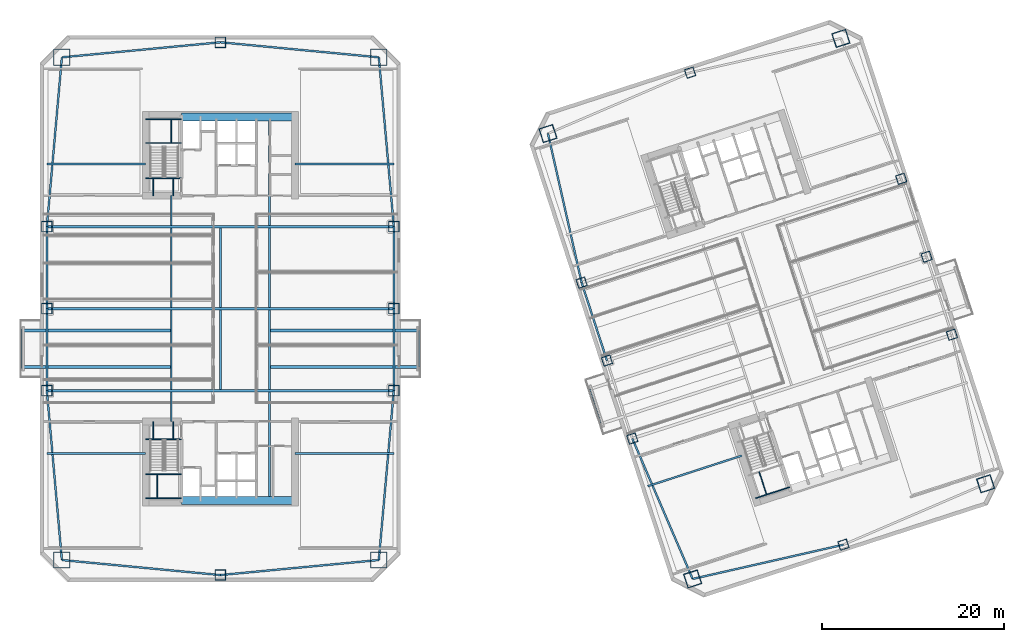
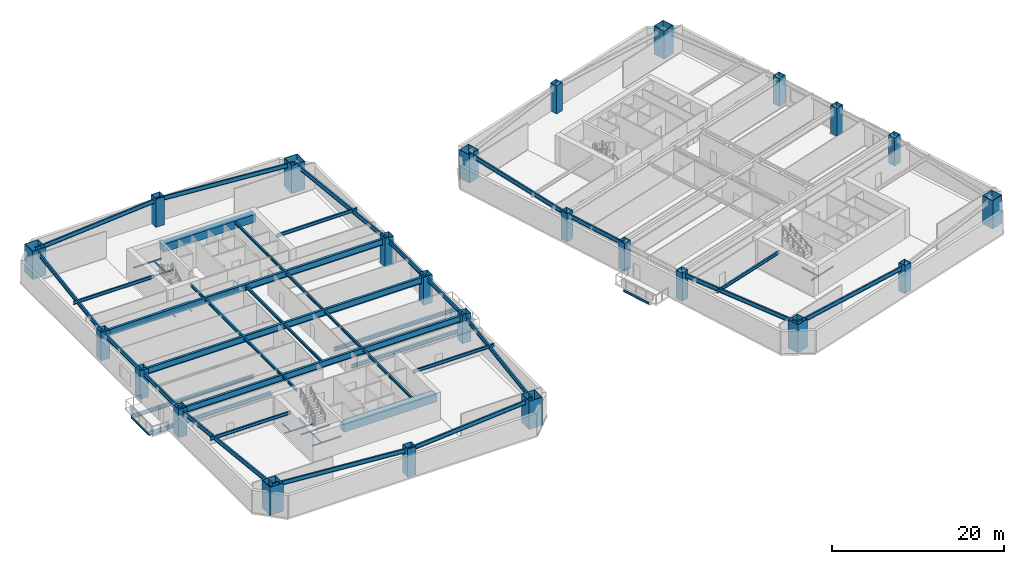
# One storey, part 1 of 18: 57 beams, 24 columns.
"""IFC4 building model written with IfcOpenShell, lengths in metres."""

import ifcopenshell
import ifcopenshell.guid

model = None  # the IFC model being written
_history = None  # IfcOwnerHistory: only IFC2X3 demands one
_inside = {}  # id of a spatial element -> (the spatial element, [elements in it])
_under = {}  # id of a project, library or spatial element -> (it, [spatial elements below it])
_declared = {}  # id of a project -> (the project, [libraries it declares])
_typed = {}  # id of a type object -> (the type object, [elements of that type])
_made_of = {}  # id of a material, layer set ... -> (it, [elements and type objects made of it])


def new_model(schema):
    """Start an empty IFC model of exactly this schema.

    Asked for "IFC4X3", IfcOpenShell would pick the latest addendum, in which some entities
    have other attributes; the version numbers below select the first issue.
    IFC2X3 requires an IfcOwnerHistory on every rooted entity: one is made here for all.
    """
    global model, _history
    if schema == "IFC4X3":
        model = ifcopenshell.file(schema_version=(4, 3, 0, 0))
    else:
        model = ifcopenshell.file(schema=schema)
    _inside.clear()
    _under.clear()
    _declared.clear()
    _typed.clear()
    _made_of.clear()
    _history = None
    if model.schema == "IFC2X3":
        org = make("IfcOrganization", Name="unknown")
        user = make(
            "IfcPersonAndOrganization",
            ThePerson=make("IfcPerson", FamilyName="unknown"),
            TheOrganization=org,
        )
        app = make(
            "IfcApplication",
            ApplicationDeveloper=org,
            Version="unknown",
            ApplicationFullName="unknown",
            ApplicationIdentifier="unknown",
        )
        _history = make(
            "IfcOwnerHistory",
            OwningUser=user,
            OwningApplication=app,
            ChangeAction="ADDED",
            CreationDate=0,
        )
    return model


def make(cls, **values):
    """One entity of the class cls with the attributes given. An attribute that is None is left unset."""
    return model.create_entity(
        cls, **{name: value for name, value in values.items() if value is not None}
    )


def rooted(cls, **values):
    """An entity with a GlobalId (a new one), such as an element, a storey or a relation."""
    return make(cls, GlobalId=ifcopenshell.guid.new(), OwnerHistory=_history, **values)


def si_unit(unit_type, name, prefix=None):
    """IfcSIUnit, for example si_unit("LENGTHUNIT", "METRE", prefix="MILLI")."""
    return make("IfcSIUnit", UnitType=unit_type, Prefix=prefix, Name=name)


def assignment(units):
    """IfcUnitAssignment: the units of a project."""
    return None if units is None else make("IfcUnitAssignment", Units=units)


def point(xyz):
    """IfcCartesianPoint."""
    return None if xyz is None else make("IfcCartesianPoint", Coordinates=xyz)


def direction(xyz):
    """IfcDirection."""
    return None if xyz is None else make("IfcDirection", DirectionRatios=xyz)


def frame(location, z_axis=None, x_axis=None):
    """IfcAxis2Placement3D, a coordinate frame: its origin and axes. An axis left out is left unset."""
    return make(
        "IfcAxis2Placement3D",
        Location=point(location),
        Axis=direction(z_axis),
        RefDirection=direction(x_axis),
    )


def frame_2d(location, x_axis=None):
    """IfcAxis2Placement2D, a coordinate frame in the plane: its origin and x axis."""
    return make(
        "IfcAxis2Placement2D", Location=point(location), RefDirection=direction(x_axis)
    )


def origin():
    """The frame at (0, 0, 0) with its axes left unset."""
    return frame((0.0, 0.0, 0.0))


def origin_2d():
    """The frame at (0, 0) in the plane with its x axis left unset."""
    return frame_2d((0.0, 0.0))


def place(relative_to, where):
    """IfcLocalPlacement: puts the frame where relative to a parent placement (None: the world)."""
    return make(
        "IfcLocalPlacement", PlacementRelTo=relative_to, RelativePlacement=where
    )


def context(
    kind, dimensions, precision=None, world=None, true_north=None, identifier=None
):
    """IfcGeometricRepresentationContext, for example the 3D "Model" context."""
    return make(
        "IfcGeometricRepresentationContext",
        ContextIdentifier=identifier,
        ContextType=kind,
        CoordinateSpaceDimension=dimensions,
        Precision=precision,
        WorldCoordinateSystem=world,
        TrueNorth=true_north,
    )


def subcontext(parent, identifier, kind, view, scale=None):
    """IfcGeometricRepresentationSubContext, for example "Body" below "Model"."""
    return make(
        "IfcGeometricRepresentationSubContext",
        ContextIdentifier=identifier,
        ContextType=kind,
        ParentContext=parent,
        TargetScale=scale,
        TargetView=view,
    )


def project(units=None, contexts=None):
    """IfcProject with its units and contexts."""
    return rooted(
        "IfcProject",
        Name="project",
        RepresentationContexts=contexts,
        UnitsInContext=assignment(units),
    )


def spatial(cls, under=None, at=None, **own):
    """A site, building, storey or space (cls), placed at a placement, below another one or the project."""
    s = rooted(cls, ObjectPlacement=at, **own)
    if under is not None:
        _under.setdefault(under.id(), (under, []))[1].append(s)
    return s


def profile(cls, at=None, kind="AREA", **sizes):
    """A parametric profile (cls). Its sizes go by their IFC names, for example OverallWidth=200.0."""
    return make(cls, ProfileType=kind, Position=at, **sizes)


def rectangle(**sizes):
    """IfcRectangleProfileDef."""
    return profile("IfcRectangleProfileDef", **sizes)


def hollow_rectangle(**sizes):
    """IfcRectangleHollowProfileDef."""
    return profile("IfcRectangleHollowProfileDef", **sizes)


def i_section(**sizes):
    """IfcIShapeProfileDef."""
    return profile("IfcIShapeProfileDef", **sizes)


def extrude(swept, where, along, depth):
    """IfcExtrudedAreaSolid: the profile swept, set in the frame where, extruded along a direction by depth."""
    return make(
        "IfcExtrudedAreaSolid",
        SweptArea=swept,
        Position=where,
        ExtrudedDirection=direction(along),
        Depth=depth,
    )


def shape(context_of_items, identifier, shape_type, items):
    """IfcShapeRepresentation: the items that make up one representation, for example the "Body"."""
    return make(
        "IfcShapeRepresentation",
        ContextOfItems=context_of_items,
        RepresentationIdentifier=identifier,
        RepresentationType=shape_type,
        Items=items,
    )


def material(Name=None, Category=None):
    """IfcMaterial."""
    return make("IfcMaterial", Name=Name, Category=Category)


def material_profile(
    of_material, cross_section, Name=None, Category=None, Priority=None
):
    """IfcMaterialProfile: a cross section and its material."""
    return make(
        "IfcMaterialProfile",
        Name=Name,
        Material=of_material,
        Profile=cross_section,
        Priority=Priority,
        Category=Category,
    )


def profile_set(profiles, Name=None, composite=None):
    """IfcMaterialProfileSet."""
    return make(
        "IfcMaterialProfileSet",
        Name=Name,
        MaterialProfiles=profiles,
        CompositeProfile=composite,
    )


def made_of(thing, what):
    """Note that an element or type object is made of a material, layer set ...; save() writes the relation."""
    if what is not None:
        _made_of.setdefault(what.id(), (what, []))[1].append(thing)
    return thing


def type_object(cls, material=None, **own):
    """A type object (cls), such as IfcWallType, which elements share."""
    return made_of(rooted(cls, **own), material)


def element(
    cls,
    number,
    at=None,
    inside=None,
    cuts=None,
    type_object=None,
    material=None,
    context=None,
    identifier="Body",
    shape_type=None,
    held_by="IfcProductDefinitionShape",
    body=None,
    shapes=None,
    **own,
):
    """One element of the class cls, such as IfcWall. Its Tag is "e" and its number.

    at: its placement. inside: the storey or other place that contains it. cuts: it is an
    opening in that element (IfcRelVoidsElement). A single representation is given by context,
    identifier, shape_type and body (its items); several are given by shapes. held_by: the class
    of the entity that holds the representations. save() writes the other relations.
    """
    e = rooted(cls, Tag="e%d" % number, ObjectPlacement=at, **own)
    if body is not None:
        shapes = [shape(context, identifier, shape_type, body)]
    if shapes is not None:
        e.Representation = make(held_by, Representations=shapes)
    if inside is not None:
        _inside.setdefault(inside.id(), (inside, []))[1].append(e)
    if cuts is not None:
        rooted(
            "IfcRelVoidsElement", RelatingBuildingElement=cuts, RelatedOpeningElement=e
        )
    if type_object is not None:
        _typed.setdefault(type_object.id(), (type_object, []))[1].append(e)
    return made_of(e, material)


def aggregate(whole, parts):
    """IfcRelAggregates: a whole, such as a stair, and the parts it consists of."""
    return rooted("IfcRelAggregates", RelatingObject=whole, RelatedObjects=parts)


def save(model, path):
    """Write the relations noted so far, then the file.

    IfcRelAggregates (storeys below a building ...), IfcRelContainedInSpatialStructure (elements
    in a storey), IfcRelDefinesByType, IfcRelAssociatesMaterial and IfcRelDeclares: one each for
    every whole, place, type object, material and project.
    """
    for whole, parts in _under.values():
        aggregate(whole, parts)
    for where, things in _inside.values():
        rooted(
            "IfcRelContainedInSpatialStructure",
            RelatedElements=things,
            RelatingStructure=where,
        )
    for kind, things in _typed.values():
        rooted("IfcRelDefinesByType", RelatedObjects=things, RelatingType=kind)
    for what, things in _made_of.values():
        rooted("IfcRelAssociatesMaterial", RelatedObjects=things, RelatingMaterial=what)
    for by, libraries in _declared.values():
        rooted("IfcRelDeclares", RelatingContext=by, RelatedDefinitions=libraries)
    model.write(path)


model = new_model("IFC4")

# Units and contexts
model_context = context("Model", 3, precision=1e-05, world=origin(), true_north=direction((0.0, 1.0)))
body_context = subcontext(model_context, "Body", "Model", "MODEL_VIEW")
ifc_project = project(units=[si_unit("LENGTHUNIT", "METRE"), si_unit("AREAUNIT", "SQUARE_METRE"), si_unit("VOLUMEUNIT", "CUBIC_METRE"), si_unit("PLANEANGLEUNIT", "RADIAN"), si_unit("MASSUNIT", "GRAM", prefix="KILO")], contexts=[model_context])

# Site, building, storey
site_placement = place(None, origin())
site = spatial("IfcSite", under=ifc_project, at=site_placement, CompositionType="ELEMENT")
building_placement = place(site_placement, origin())
building = spatial("IfcBuilding", under=site, at=building_placement, Name="Qiaolan Cultural Towers", CompositionType="ELEMENT")
storey_placement = place(building_placement, frame((0.0, 0.0, 38.0)))
storey = spatial("IfcBuildingStorey", under=building, at=storey_placement, Name="L08", CompositionType="ELEMENT", Elevation=38.0)

# Columns
ifc_material_1 = material(Name="Steel Q355B", Category="steel")
ifc_material_profile_1 = material_profile(ifc_material_1, hollow_rectangle(XDim=1.0, YDim=1.0, WallThickness=0.035888671875, at=origin_2d()), Name="BOX1000x1000x36")
ifc_profile_set_1 = profile_set([ifc_material_profile_1], Name="Steel Q355B")
column_type_1 = type_object("IfcColumnType", Name="COL-BOX1000x1000x36", PredefinedType="COLUMN", material=ifc_profile_set_1)
for number, where, z_axis, x_axis, name in (
    (1, (75.234130859375, 19.739013671875, 0.0), (0.0, 0.0, 1.0), (0.951056516295, 0.309016994375, 0.0), "L08 T2 Perimeter Column PC-W1"),
    (2, (72.453125, 28.298583984375, 0.0), (0.0, 0.0, 1.0), (0.951056516295, 0.309016994375, 0.0), "L08 T2 Perimeter Column PC-W2"),
    (3, (69.671875, 36.858154296875, 0.0), (0.0, 0.0, 1.0), (0.951056516295, 0.309016994375, 0.0), "L08 T2 Perimeter Column PC-W3"),
    (4, (110.328125, 31.141845703125, 0.0), (0.0, 0.0, 1.0), (0.951056516295, 0.309016994375, 0.0), "L08 T2 Perimeter Column PC-E1"),
    (5, (107.546875, 39.701416015625, 0.0), (0.0, 0.0, 1.0), (0.951056516295, 0.309016994375, 0.0), "L08 T2 Perimeter Column PC-E2"),
    (6, (104.765869140625, 48.260986328125, 0.0), (0.0, 0.0, 1.0), (0.951056516295, 0.309016994375, 0.0), "L08 T2 Perimeter Column PC-E3"),
    (7, (98.420654296875, 8.083740234375, 0.0), (0.0, 0.0, 1.0), (0.951056516295, 0.309016994375, 0.0), "L08 T2 Perimeter Column PC-S0"),
    (8, (81.579345703125, 59.916259765625, 0.0), (0.0, 0.0, 1.0), (0.951056516295, 0.309016994375, 0.0), "L08 T2 Perimeter Column PC-N0"),
):
    element("IfcColumn", number, at=place(storey_placement, frame(where, z_axis=z_axis, x_axis=x_axis)), inside=storey, type_object=column_type_1, Name=name, PredefinedType="COLUMN", context=body_context, shape_type="SweptSolid", body=[
        extrude(hollow_rectangle(XDim=1.0, YDim=1.0, WallThickness=0.035888671875, at=origin_2d()), origin(), (0.0, 0.0, 1.0), 4.0009765625),
    ])
ifc_material_2 = material(Name="Steel Q390GJB", Category="steel")
ifc_material_profile_2 = material_profile(ifc_material_2, hollow_rectangle(XDim=1.14990234375, YDim=1.14990234375, WallThickness=0.0400390625, at=origin_2d()), Name="BOX1150x1150x40")
ifc_profile_set_2 = profile_set([ifc_material_profile_2], Name="Steel Q390GJB")
column_type_2 = type_object("IfcColumnType", Name="COL-BOX1150x1150x40", PredefinedType="COLUMN", material=ifc_profile_set_2)
for number, where, z_axis, x_axis, name in (
    (9, (10.949951171875, 25.0, 0.0), (0.0, 0.0, 1.0), (1.0, 0.0, 0.0), "L08 T1 Perimeter Column PC-W1"),
    (10, (10.949951171875, 34.0, 0.0), (0.0, 0.0, 1.0), (1.0, 0.0, 0.0), "L08 T1 Perimeter Column PC-W2"),
    (11, (10.949951171875, 43.0, 0.0), (0.0, 0.0, 1.0), (1.0, 0.0, 0.0), "L08 T1 Perimeter Column PC-W3"),
    (12, (49.050048828125, 25.0, 0.0), (0.0, 0.0, 1.0), (1.0, 0.0, 0.0), "L08 T1 Perimeter Column PC-E1"),
    (13, (49.050048828125, 34.0, 0.0), (0.0, 0.0, 1.0), (1.0, 0.0, 0.0), "L08 T1 Perimeter Column PC-E2"),
    (14, (49.050048828125, 43.0, 0.0), (0.0, 0.0, 1.0), (1.0, 0.0, 0.0), "L08 T1 Perimeter Column PC-E3"),
    (15, (30.0, 4.75, 0.0), (0.0, 0.0, 1.0), (1.0, 0.0, 0.0), "L08 T1 Perimeter Column PC-S0"),
    (16, (30.0, 63.25, 0.0), (0.0, 0.0, 1.0), (1.0, 0.0, 0.0), "L08 T1 Perimeter Column PC-N0"),
):
    element("IfcColumn", number, at=place(storey_placement, frame(where, z_axis=z_axis, x_axis=x_axis)), inside=storey, type_object=column_type_2, Name=name, PredefinedType="COLUMN", context=body_context, shape_type="SweptSolid", body=[
        extrude(hollow_rectangle(XDim=1.14990234375, YDim=1.14990234375, WallThickness=0.0400390625, at=origin_2d()), origin(), (0.0, 0.0, 1.0), 4.0009765625),
    ])
ifc_material_3 = material(Name="Steel Q420GJB", Category="steel")
ifc_material_profile_3 = material_profile(ifc_material_3, hollow_rectangle(XDim=1.60009765625, YDim=1.60009765625, WallThickness=0.054931640625, at=origin_2d()), Name="BOX1600x1600x55")
ifc_profile_set_3 = profile_set([ifc_material_profile_3], Name="Steel Q420GJB")
column_type_3 = type_object("IfcColumnType", Name="COL-BOX1600x1600x55", PredefinedType="COLUMN", material=ifc_profile_set_3)
for number, where, z_axis, x_axis, name in (
    (17, (81.862548828125, 4.32275390625, 0.0), (0.0, 0.0, 1.0), (0.951056516295, 0.309016994375, 0.0), "L08 T2 Perimeter Column MC-SW"),
    (18, (114.027099609375, 14.77392578125, 0.0), (0.0, 0.0, 1.0), (0.951056516295, 0.309016994375, 0.0), "L08 T2 Perimeter Column MC-SE"),
    (19, (98.137451171875, 63.67724609375, 0.0), (0.0, 0.0, 1.0), (0.951056516295, 0.309016994375, 0.0), "L08 T2 Perimeter Column MC-NE"),
    (20, (65.972900390625, 53.22607421875, 0.0), (0.0, 0.0, 1.0), (0.951056516295, 0.309016994375, 0.0), "L08 T2 Perimeter Column MC-NW"),
):
    element("IfcColumn", number, at=place(storey_placement, frame(where, z_axis=z_axis, x_axis=x_axis)), inside=storey, type_object=column_type_3, Name=name, PredefinedType="COLUMN", context=body_context, shape_type="SweptSolid", body=[
        extrude(hollow_rectangle(XDim=1.60009765625, YDim=1.60009765625, WallThickness=0.054931640625, at=origin_2d()), origin(), (0.0, 0.0, 1.0), 4.0009765625),
    ])
ifc_material_4 = material(Name="Steel Q420GJB", Category="steel")
ifc_material_profile_4 = material_profile(ifc_material_4, hollow_rectangle(XDim=1.800048828125, YDim=1.800048828125, WallThickness=0.06005859375, at=origin_2d()), Name="BOX1800x1800x60")
ifc_profile_set_4 = profile_set([ifc_material_profile_4], Name="Steel Q420GJB")
column_type_4 = type_object("IfcColumnType", Name="COL-BOX1800x1800x60", PredefinedType="COLUMN", material=ifc_profile_set_4)
for number, where, z_axis, x_axis, name in (
    (21, (12.60009765625, 6.39990234375, 0.0), (0.0, 0.0, 1.0), (1.0, 0.0, 0.0), "L08 T1 Perimeter Column MC-SW"),
    (22, (47.39990234375, 6.39990234375, 0.0), (0.0, 0.0, 1.0), (1.0, 0.0, 0.0), "L08 T1 Perimeter Column MC-SE"),
    (23, (47.39990234375, 61.60009765625, 0.0), (0.0, 0.0, 1.0), (1.0, 0.0, 0.0), "L08 T1 Perimeter Column MC-NE"),
    (24, (12.60009765625, 61.60009765625, 0.0), (0.0, 0.0, 1.0), (1.0, 0.0, 0.0), "L08 T1 Perimeter Column MC-NW"),
):
    element("IfcColumn", number, at=place(storey_placement, frame(where, z_axis=z_axis, x_axis=x_axis)), inside=storey, type_object=column_type_4, Name=name, PredefinedType="COLUMN", context=body_context, shape_type="SweptSolid", body=[
        extrude(hollow_rectangle(XDim=1.800048828125, YDim=1.800048828125, WallThickness=0.06005859375, at=origin_2d()), origin(), (0.0, 0.0, 1.0), 4.0009765625),
    ])

# Beams
ifc_material_5 = material(Name="Steel Q355B", Category="steel")
ifc_material_profile_5 = material_profile(ifc_material_5, i_section(OverallWidth=0.300048828125, OverallDepth=0.488037109375, WebThickness=0.010986328125, FlangeThickness=0.01806640625, at=origin_2d()), Name="HM488x300x11x18")
ifc_profile_set_5 = profile_set([ifc_material_profile_5], Name="Steel Q355B")
beam_type_1 = type_object("IfcBeamType", Name="BM-HM488x300x11x18", PredefinedType="BEAM", material=ifc_profile_set_5)
for number, where, z_axis, x_axis, name in (
    (25, (24.60009765625, 27.60009765625, -0.52392578125), (-1.0, 0.0, 0.0), (0.0, -1.0, 0.0), "L08 T1 Tree Balcony Back-Spanned Bracket Beam"),
    (26, (24.60009765625, 31.60009765625, -0.52392578125), (-1.0, 0.0, 0.0), (0.0, -1.0, 0.0), "L08 T1 Tree Balcony Back-Spanned Bracket Beam"),
    (27, (35.39990234375, 27.60009765625, -0.52392578125), (1.0, 0.0, 0.0), (0.0, 1.0, 0.0), "L08 T1 Tree Balcony Back-Spanned Bracket Beam"),
    (28, (35.39990234375, 31.60009765625, -0.52392578125), (1.0, 0.0, 0.0), (0.0, 1.0, 0.0), "L08 T1 Tree Balcony Back-Spanned Bracket Beam"),
):
    element("IfcBeam", number, at=place(storey_placement, frame(where, z_axis=z_axis, x_axis=x_axis)), inside=storey, type_object=beam_type_1, Name=name, PredefinedType="BEAM", context=body_context, shape_type="SweptSolid", body=[
        extrude(i_section(OverallWidth=0.300048828125, OverallDepth=0.488037109375, WebThickness=0.010986328125, FlangeThickness=0.01806640625, at=origin_2d()), origin(), (0.0, 0.0, 1.0), 16.4501953125),
    ])
ifc_material_6 = material(Name="Steel Q355B", Category="steel")
ifc_material_profile_6 = material_profile(ifc_material_6, i_section(OverallWidth=0.300048828125, OverallDepth=0.89990234375, WebThickness=0.01611328125, FlangeThickness=0.028076171875, at=origin_2d()), Name="HN900x300x16x28")
ifc_profile_set_6 = profile_set([ifc_material_profile_6], Name="Steel Q355B")
beam_type_2 = type_object("IfcBeamType", Name="BM-HN900x300x16x28", PredefinedType="BEAM", material=ifc_profile_set_6)
for number, where, z_axis, x_axis, name in (
    (29, (10.949951171875, 25.0, 3.2900390625), (1.0, 0.0, 0.0), (0.0, 1.0, 0.0), "L08 T1 Primary Transverse Girder V1"),
    (30, (10.949951171875, 34.0, 3.2900390625), (1.0, 0.0, 0.0), (0.0, 1.0, 0.0), "L08 T1 Primary Transverse Girder V2"),
    (31, (10.949951171875, 43.0, 3.2900390625), (1.0, 0.0, 0.0), (0.0, 1.0, 0.0), "L08 T1 Primary Transverse Girder V3"),
):
    element("IfcBeam", number, at=place(storey_placement, frame(where, z_axis=z_axis, x_axis=x_axis)), inside=storey, type_object=beam_type_2, Name=name, PredefinedType="BEAM", context=body_context, shape_type="SweptSolid", body=[
        extrude(i_section(OverallWidth=0.300048828125, OverallDepth=0.89990234375, WebThickness=0.01611328125, FlangeThickness=0.028076171875, at=origin_2d()), origin(), (0.0, 0.0, 1.0), 38.10009765625),
    ])
ifc_material_7 = material(Name="Steel Q355B", Category="steel")
ifc_material_profile_7 = material_profile(ifc_material_7, i_section(OverallWidth=0.175048828125, OverallDepth=0.35009765625, WebThickness=0.007080078125, FlangeThickness=0.010986328125, at=origin_2d()), Name="HN350x175x7x11")
ifc_profile_set_7 = profile_set([ifc_material_profile_7], Name="Steel Q355B")
beam_type_3 = type_object("IfcBeamType", Name="BM-JST-HN350x175x7x11", PredefinedType="JOIST", material=ifc_profile_set_7)
for number, where, z_axis, x_axis, name in (
    (32, (8.14990234375, 27.60009765625, -0.52392578125), (0.0, 1.0, 0.0), (-1.0, 0.0, 0.0), "L08 T1 Tree Balcony Outer Edge Beam"),
    (33, (51.85009765625, 27.60009765625, -0.52392578125), (0.0, 1.0, 0.0), (-1.0, 0.0, 0.0), "L08 T1 Tree Balcony Outer Edge Beam"),
    (34, (71.767822265625, 21.3466796875, -0.52392578125), (-0.309022586479, 0.951054699292, 0.0), (-0.951054699292, -0.309022586479, 0.0), "L08 T2 Tree Balcony Outer Edge Beam"),
):
    element("IfcBeam", number, at=place(storey_placement, frame(where, z_axis=z_axis, x_axis=x_axis)), inside=storey, type_object=beam_type_3, Name=name, PredefinedType="JOIST", context=body_context, shape_type="SweptSolid", body=[
        extrude(i_section(OverallWidth=0.175048828125, OverallDepth=0.35009765625, WebThickness=0.007080078125, FlangeThickness=0.010986328125, at=origin_2d()), origin(), (0.0, 0.0, 1.0), 4.0),
    ])
ifc_material_8 = material(Name="Steel Q355B", Category="steel")
ifc_material_profile_8 = material_profile(ifc_material_8, i_section(OverallWidth=0.199951171875, OverallDepth=0.39990234375, WebThickness=0.008056640625, FlangeThickness=0.012939453125, at=origin_2d()), Name="HN400x200x8x13")
ifc_profile_set_8 = profile_set([ifc_material_profile_8], Name="Steel Q355B")
beam_type_4 = type_object("IfcBeamType", Name="BM-JST-HN400x200x8x13", PredefinedType="JOIST", material=ifc_profile_set_8)
beam_1_placement = place(storey_placement, frame((24.60009765625, 21.60009765625, 3.5400390625), z_axis=(0.0, 1.0, 0.0), x_axis=(-1.0, 0.0, 0.0)))
element("IfcBeam", 35, at=beam_1_placement, inside=storey, type_object=beam_type_4, Name="L08 T1 Secondary Floor Joist U1-1", PredefinedType="JOIST", context=body_context, shape_type="SweptSolid", body=[
    extrude(i_section(OverallWidth=0.199951171875, OverallDepth=0.39990234375, WebThickness=0.008056640625, FlangeThickness=0.012939453125, at=origin_2d()), origin(), (0.0, 0.0, 1.0), 3.25),
])
for number, where, z_axis, x_axis, name in (
    (36, (24.60009765625, 25.14990234375, 3.5400390625), (0.0, 1.0, 0.0), (-1.0, 0.0, 0.0), "L08 T1 Secondary Floor Joist U1-2"),
    (37, (24.60009765625, 34.14990234375, 3.5400390625), (0.0, 1.0, 0.0), (-1.0, 0.0, 0.0), "L08 T1 Secondary Floor Joist U1-3"),
):
    element("IfcBeam", number, at=place(storey_placement, frame(where, z_axis=z_axis, x_axis=x_axis)), inside=storey, type_object=beam_type_4, Name=name, PredefinedType="JOIST", context=body_context, shape_type="SweptSolid", body=[
        extrude(i_section(OverallWidth=0.199951171875, OverallDepth=0.39990234375, WebThickness=0.008056640625, FlangeThickness=0.012939453125, at=origin_2d()), origin(), (0.0, 0.0, 1.0), 8.7001953125),
    ])
beam_2_placement = place(storey_placement, frame((24.60009765625, 43.14990234375, 3.5400390625), z_axis=(0.0, 1.0, 0.0), x_axis=(-1.0, 0.0, 0.0)))
element("IfcBeam", 38, at=beam_2_placement, inside=storey, type_object=beam_type_4, Name="L08 T1 Secondary Floor Joist U1-4", PredefinedType="JOIST", context=body_context, shape_type="SweptSolid", body=[
    extrude(i_section(OverallWidth=0.199951171875, OverallDepth=0.39990234375, WebThickness=0.008056640625, FlangeThickness=0.012939453125, at=origin_2d()), origin(), (0.0, 0.0, 1.0), 3.25),
])
for number, where, z_axis, x_axis, name in (
    (39, (30.0, 25.14990234375, 3.5400390625), (0.0, 1.0, 0.0), (-1.0, 0.0, 0.0), "L08 T1 Secondary Floor Joist U2-2"),
    (40, (30.0, 34.14990234375, 3.5400390625), (0.0, 1.0, 0.0), (-1.0, 0.0, 0.0), "L08 T1 Secondary Floor Joist U2-3"),
):
    element("IfcBeam", number, at=place(storey_placement, frame(where, z_axis=z_axis, x_axis=x_axis)), inside=storey, type_object=beam_type_4, Name=name, PredefinedType="JOIST", context=body_context, shape_type="SweptSolid", body=[
        extrude(i_section(OverallWidth=0.199951171875, OverallDepth=0.39990234375, WebThickness=0.008056640625, FlangeThickness=0.012939453125, at=origin_2d()), origin(), (0.0, 0.0, 1.0), 8.7001953125),
    ])
beam_3_placement = place(storey_placement, frame((35.39990234375, 13.39990234375, 3.5400390625), z_axis=(0.0, 1.0, 0.0), x_axis=(-1.0, 0.0, 0.0)))
element("IfcBeam", 41, at=beam_3_placement, inside=storey, type_object=beam_type_4, Name="L08 T1 Secondary Floor Joist U3-1", PredefinedType="JOIST", context=body_context, shape_type="SweptSolid", body=[
    extrude(i_section(OverallWidth=0.199951171875, OverallDepth=0.39990234375, WebThickness=0.008056640625, FlangeThickness=0.012939453125, at=origin_2d()), origin(), (0.0, 0.0, 1.0), 11.4501953125),
])
for number, where, z_axis, x_axis, name in (
    (42, (35.39990234375, 25.14990234375, 3.5400390625), (0.0, 1.0, 0.0), (-1.0, 0.0, 0.0), "L08 T1 Secondary Floor Joist U3-2"),
    (43, (35.39990234375, 34.14990234375, 3.5400390625), (0.0, 1.0, 0.0), (-1.0, 0.0, 0.0), "L08 T1 Secondary Floor Joist U3-3"),
):
    element("IfcBeam", number, at=place(storey_placement, frame(where, z_axis=z_axis, x_axis=x_axis)), inside=storey, type_object=beam_type_4, Name=name, PredefinedType="JOIST", context=body_context, shape_type="SweptSolid", body=[
        extrude(i_section(OverallWidth=0.199951171875, OverallDepth=0.39990234375, WebThickness=0.008056640625, FlangeThickness=0.012939453125, at=origin_2d()), origin(), (0.0, 0.0, 1.0), 8.7001953125),
    ])
beam_4_placement = place(storey_placement, frame((35.39990234375, 43.14990234375, 3.5400390625), z_axis=(0.0, 1.0, 0.0), x_axis=(-1.0, 0.0, 0.0)))
element("IfcBeam", 44, at=beam_4_placement, inside=storey, type_object=beam_type_4, Name="L08 T1 Secondary Floor Joist U3-4", PredefinedType="JOIST", context=body_context, shape_type="SweptSolid", body=[
    extrude(i_section(OverallWidth=0.199951171875, OverallDepth=0.39990234375, WebThickness=0.008056640625, FlangeThickness=0.012939453125, at=origin_2d()), origin(), (0.0, 0.0, 1.0), 11.4501953125),
])
ifc_material_9 = material(Name="Steel Q355B", Category="steel")
ifc_material_profile_9 = material_profile(ifc_material_9, i_section(OverallWidth=0.199951171875, OverallDepth=0.449951171875, WebThickness=0.009033203125, FlangeThickness=0.013916015625, at=origin_2d()), Name="HN450x200x9x14")
ifc_profile_set_9 = profile_set([ifc_material_profile_9], Name="Steel Q355B")
beam_type_5 = type_object("IfcBeamType", Name="BM-LNT-HN450x200x9x14", PredefinedType="LINTEL", material=ifc_profile_set_9)
for number, where, z_axis, x_axis, name in (
    (45, (21.800048828125, 18.10009765625, 3.514892578125), (-1.0, 0.0, 0.0), (0.0, -1.0, 0.0), "L08 T1 Core Flank Tie Lintel WS"),
    (46, (21.800048828125, 49.89990234375, 3.514892578125), (-1.0, 0.0, 0.0), (0.0, -1.0, 0.0), "L08 T1 Core Flank Tie Lintel WN"),
    (47, (38.199951171875, 18.10009765625, 3.514892578125), (1.0, 0.0, 0.0), (0.0, 1.0, 0.0), "L08 T1 Core Flank Tie Lintel ES"),
    (48, (38.199951171875, 49.89990234375, 3.514892578125), (1.0, 0.0, 0.0), (0.0, 1.0, 0.0), "L08 T1 Core Flank Tie Lintel EN"),
):
    element("IfcBeam", number, at=place(storey_placement, frame(where, z_axis=z_axis, x_axis=x_axis)), inside=storey, type_object=beam_type_5, Name=name, PredefinedType="LINTEL", context=body_context, shape_type="SweptSolid", body=[
        extrude(i_section(OverallWidth=0.199951171875, OverallDepth=0.449951171875, WebThickness=0.009033203125, FlangeThickness=0.013916015625, at=origin_2d()), origin(), (0.0, 0.0, 1.0), 10.85009765625),
    ])
beam_5_placement = place(storey_placement, frame((87.252685546875, 17.861083984375, 3.514892578125), z_axis=(-0.95105688584, -0.30901585703, 0.0), x_axis=(0.30901585703, -0.95105688584, 0.0)))
element("IfcBeam", 49, at=beam_5_placement, inside=storey, type_object=beam_type_5, Name="L08 T2 Core Flank Tie Lintel WS", PredefinedType="LINTEL", context=body_context, shape_type="SweptSolid", body=[
    extrude(i_section(OverallWidth=0.199951171875, OverallDepth=0.449951171875, WebThickness=0.009033203125, FlangeThickness=0.013916015625, at=origin_2d()), origin(), (0.0, 0.0, 1.0), 10.849853515625),
])
ifc_material_10 = material(Name="Concrete C50", Category="concrete")
ifc_material_profile_10 = material_profile(ifc_material_10, rectangle(XDim=0.89990234375, YDim=1.10009765625, at=origin_2d()), Name="RC900x1100")
ifc_profile_set_10 = profile_set([ifc_material_profile_10], Name="Concrete C50")
beam_type_6 = type_object("IfcBeamType", Name="BM-RC900x1100", PredefinedType="BEAM", material=ifc_profile_set_10)
for number, where, z_axis, x_axis, name in (
    (50, (25.719970703125, 12.949951171875, 3.18994140625), (1.0, 0.0, 0.0), (0.0, 1.0, 0.0), "L08 T1 Core Header Girder S"),
    (51, (25.719970703125, 55.050048828125, 3.18994140625), (1.0, 0.0, 0.0), (0.0, 1.0, 0.0), "L08 T1 Core Header Girder N"),
):
    element("IfcBeam", number, at=place(storey_placement, frame(where, z_axis=z_axis, x_axis=x_axis)), inside=storey, type_object=beam_type_6, Name=name, PredefinedType="BEAM", context=body_context, shape_type="SweptSolid", body=[
        extrude(rectangle(XDim=0.89990234375, YDim=1.10009765625, at=origin_2d()), origin(), (0.0, 0.0, 1.0), 12.47998046875),
    ])
ifc_material_11 = material(Name="Steel Q355B", Category="steel")
ifc_material_profile_11 = material_profile(ifc_material_11, i_section(OverallWidth=0.199951171875, OverallDepth=0.60009765625, WebThickness=0.010986328125, FlangeThickness=0.01708984375, at=origin_2d()), Name="HN600x200x11x17")
ifc_profile_set_11 = profile_set([ifc_material_profile_11], Name="Steel Q355B")
beam_type_7 = type_object("IfcBeamType", Name="BM-SPD-HN600x200x11x17", PredefinedType="SPANDREL", material=ifc_profile_set_11)
for number, where, z_axis, x_axis, name in (
    (52, (12.60009765625, 6.39990234375, 3.43994140625), (0.995534437156, -0.094399070104, 0.0), (0.094399070104, 0.995534437156, 0.0), "L08 T1 Perimeter Spandrel Beam 1"),
    (53, (30.0, 4.75, 3.43994140625), (0.995534437156, 0.094399070104, 0.0), (-0.094399070104, 0.995534437156, 0.0), "L08 T1 Perimeter Spandrel Beam 2"),
):
    element("IfcBeam", number, at=place(storey_placement, frame(where, z_axis=z_axis, x_axis=x_axis)), inside=storey, type_object=beam_type_7, Name=name, PredefinedType="SPANDREL", context=body_context, shape_type="SweptSolid", body=[
        extrude(i_section(OverallWidth=0.199951171875, OverallDepth=0.60009765625, WebThickness=0.010986328125, FlangeThickness=0.01708984375, at=origin_2d()), origin(), (0.0, 0.0, 1.0), 17.47802734375),
    ])
beam_6_placement = place(storey_placement, frame((47.39990234375, 6.39990234375, 3.43994140625), z_axis=(0.08837000091, 0.996087718496, 0.0), x_axis=(-0.996087718496, 0.08837000091, 0.0)))
element("IfcBeam", 54, at=beam_6_placement, inside=storey, type_object=beam_type_7, Name="L08 T1 Perimeter Spandrel Beam 3", PredefinedType="SPANDREL", context=body_context, shape_type="SweptSolid", body=[
    extrude(i_section(OverallWidth=0.199951171875, OverallDepth=0.60009765625, WebThickness=0.010986328125, FlangeThickness=0.01708984375, at=origin_2d()), origin(), (0.0, 0.0, 1.0), 18.673095703125),
])
for number, where, z_axis, x_axis, name in (
    (55, (49.050048828125, 25.0, 3.43994140625), (0.0, 1.0, 0.0), (-1.0, 0.0, 0.0), "L08 T1 Perimeter Spandrel Beam 4"),
    (56, (49.050048828125, 34.0, 3.43994140625), (0.0, 1.0, 0.0), (-1.0, 0.0, 0.0), "L08 T1 Perimeter Spandrel Beam 5"),
):
    element("IfcBeam", number, at=place(storey_placement, frame(where, z_axis=z_axis, x_axis=x_axis)), inside=storey, type_object=beam_type_7, Name=name, PredefinedType="SPANDREL", context=body_context, shape_type="SweptSolid", body=[
        extrude(i_section(OverallWidth=0.199951171875, OverallDepth=0.60009765625, WebThickness=0.010986328125, FlangeThickness=0.01708984375, at=origin_2d()), origin(), (0.0, 0.0, 1.0), 9.0),
    ])
beam_7_placement = place(storey_placement, frame((49.050048828125, 43.0, 3.43994140625), z_axis=(-0.08837000091, 0.996087718496, 0.0), x_axis=(-0.996087718496, -0.08837000091, 0.0)))
element("IfcBeam", 57, at=beam_7_placement, inside=storey, type_object=beam_type_7, Name="L08 T1 Perimeter Spandrel Beam 6", PredefinedType="SPANDREL", context=body_context, shape_type="SweptSolid", body=[
    extrude(i_section(OverallWidth=0.199951171875, OverallDepth=0.60009765625, WebThickness=0.010986328125, FlangeThickness=0.01708984375, at=origin_2d()), origin(), (0.0, 0.0, 1.0), 18.673095703125),
])
for number, where, z_axis, x_axis, name in (
    (58, (47.39990234375, 61.60009765625, 3.43994140625), (-0.995534437156, 0.094399070104, 0.0), (-0.094399070104, -0.995534437156, 0.0), "L08 T1 Perimeter Spandrel Beam 7"),
    (59, (30.0, 63.25, 3.43994140625), (-0.995534437156, -0.094399070104, 0.0), (0.094399070104, -0.995534437156, 0.0), "L08 T1 Perimeter Spandrel Beam 8"),
):
    element("IfcBeam", number, at=place(storey_placement, frame(where, z_axis=z_axis, x_axis=x_axis)), inside=storey, type_object=beam_type_7, Name=name, PredefinedType="SPANDREL", context=body_context, shape_type="SweptSolid", body=[
        extrude(i_section(OverallWidth=0.199951171875, OverallDepth=0.60009765625, WebThickness=0.010986328125, FlangeThickness=0.01708984375, at=origin_2d()), origin(), (0.0, 0.0, 1.0), 17.47802734375),
    ])
beam_8_placement = place(storey_placement, frame((12.60009765625, 61.60009765625, 3.43994140625), z_axis=(-0.08837000091, -0.996087718496, 0.0), x_axis=(0.996087718496, -0.08837000091, 0.0)))
element("IfcBeam", 60, at=beam_8_placement, inside=storey, type_object=beam_type_7, Name="L08 T1 Perimeter Spandrel Beam 9", PredefinedType="SPANDREL", context=body_context, shape_type="SweptSolid", body=[
    extrude(i_section(OverallWidth=0.199951171875, OverallDepth=0.60009765625, WebThickness=0.010986328125, FlangeThickness=0.01708984375, at=origin_2d()), origin(), (0.0, 0.0, 1.0), 18.673095703125),
])
for number, where, z_axis, x_axis, name in (
    (61, (10.949951171875, 43.0, 3.43994140625), (0.0, -1.0, 0.0), (1.0, 0.0, 0.0), "L08 T1 Perimeter Spandrel Beam 10"),
    (62, (10.949951171875, 34.0, 3.43994140625), (0.0, -1.0, 0.0), (1.0, 0.0, 0.0), "L08 T1 Perimeter Spandrel Beam 11"),
):
    element("IfcBeam", number, at=place(storey_placement, frame(where, z_axis=z_axis, x_axis=x_axis)), inside=storey, type_object=beam_type_7, Name=name, PredefinedType="SPANDREL", context=body_context, shape_type="SweptSolid", body=[
        extrude(i_section(OverallWidth=0.199951171875, OverallDepth=0.60009765625, WebThickness=0.010986328125, FlangeThickness=0.01708984375, at=origin_2d()), origin(), (0.0, 0.0, 1.0), 9.0),
    ])
beam_9_placement = place(storey_placement, frame((10.949951171875, 25.0, 3.43994140625), z_axis=(0.08837000091, -0.996087718496, 0.0), x_axis=(0.996087718496, 0.08837000091, 0.0)))
element("IfcBeam", 63, at=beam_9_placement, inside=storey, type_object=beam_type_7, Name="L08 T1 Perimeter Spandrel Beam 12", PredefinedType="SPANDREL", context=body_context, shape_type="SweptSolid", body=[
    extrude(i_section(OverallWidth=0.199951171875, OverallDepth=0.60009765625, WebThickness=0.010986328125, FlangeThickness=0.01708984375, at=origin_2d()), origin(), (0.0, 0.0, 1.0), 18.673095703125),
])
beam_10_placement = place(storey_placement, frame((81.862548828125, 4.32275390625, 3.43994140625), z_axis=(0.975161095889, 0.221496810506, 0.0), x_axis=(-0.221496810506, 0.975161095889, 0.0)))
element("IfcBeam", 64, at=beam_10_placement, inside=storey, type_object=beam_type_7, Name="L08 T2 Perimeter Spandrel Beam 1", PredefinedType="SPANDREL", context=body_context, shape_type="SweptSolid", body=[
    extrude(i_section(OverallWidth=0.199951171875, OverallDepth=0.60009765625, WebThickness=0.010986328125, FlangeThickness=0.01708984375, at=origin_2d()), origin(), (0.0, 0.0, 1.0), 16.97998046875),
])
beam_11_placement = place(storey_placement, frame((65.972900390625, 53.22607421875, 3.43994140625), z_axis=(0.220430557386, -0.975402670373, 0.0), x_axis=(0.975402670373, 0.220430557386, 0.0)))
element("IfcBeam", 65, at=beam_11_placement, inside=storey, type_object=beam_type_7, Name="L08 T2 Perimeter Spandrel Beam 9", PredefinedType="SPANDREL", context=body_context, shape_type="SweptSolid", body=[
    extrude(i_section(OverallWidth=0.199951171875, OverallDepth=0.60009765625, WebThickness=0.010986328125, FlangeThickness=0.01708984375, at=origin_2d()), origin(), (0.0, 0.0, 1.0), 16.78076171875),
])
beam_12_placement = place(storey_placement, frame((69.671875, 36.858154296875, 3.43994140625), z_axis=(0.309024734286, -0.951054001411, 0.0), x_axis=(0.951054001411, 0.309024734286, 0.0)))
element("IfcBeam", 66, at=beam_12_placement, inside=storey, type_object=beam_type_7, Name="L08 T2 Perimeter Spandrel Beam 10", PredefinedType="SPANDREL", context=body_context, shape_type="SweptSolid", body=[
    extrude(i_section(OverallWidth=0.199951171875, OverallDepth=0.60009765625, WebThickness=0.010986328125, FlangeThickness=0.01708984375, at=origin_2d()), origin(), (0.0, 0.0, 1.0), 9.0),
])
beam_13_placement = place(storey_placement, frame((75.234130859375, 19.739013671875, 3.43994140625), z_axis=(0.394998896054, -0.918681594524, 0.0), x_axis=(0.918681594524, 0.394998896054, 0.0)))
element("IfcBeam", 67, at=beam_13_placement, inside=storey, type_object=beam_type_7, Name="L08 T2 Perimeter Spandrel Beam 12", PredefinedType="SPANDREL", context=body_context, shape_type="SweptSolid", body=[
    extrude(i_section(OverallWidth=0.199951171875, OverallDepth=0.60009765625, WebThickness=0.010986328125, FlangeThickness=0.01708984375, at=origin_2d()), origin(), (0.0, 0.0, 1.0), 16.78076171875),
])
ifc_material_12 = material(Name="Steel Q355B", Category="steel")
ifc_material_profile_12 = material_profile(ifc_material_12, i_section(OverallWidth=0.10009765625, OverallDepth=0.199951171875, WebThickness=0.005615234375, FlangeThickness=0.008056640625, at=origin_2d()), Name="HN200x100x5.5x8")
ifc_profile_set_12 = profile_set([ifc_material_profile_12], Name="Steel Q355B")
beam_type_8 = type_object("IfcBeamType", Name="BM-STTRIM-200", PredefinedType="BEAM", material=ifc_profile_set_12)
beam_14_placement = place(storey_placement, frame((21.800048828125, 19.659912109375, -0.4599609375), z_axis=(1.0, 0.0, 0.0), x_axis=(0.0, 1.0, 0.0)))
element("IfcBeam", 68, at=beam_14_placement, inside=storey, type_object=beam_type_8, Name="L08 ST-W1 Floor Landing Header Beam", PredefinedType="BEAM", context=body_context, shape_type="SweptSolid", body=[
    extrude(i_section(OverallWidth=0.10009765625, OverallDepth=0.199951171875, WebThickness=0.005615234375, FlangeThickness=0.008056640625, at=origin_2d()), origin(), (0.0, 0.0, 1.0), 3.919921875),
])
for number, where, z_axis, x_axis, name in (
    (69, (22.64990234375, 21.60009765625, -0.4599609375), (0.0, -1.0, 0.0), (1.0, 0.0, 0.0), "L08 ST-W1 Floor Landing Stringer 1"),
    (70, (24.85009765625, 21.60009765625, -0.4599609375), (0.0, -1.0, 0.0), (1.0, 0.0, 0.0), "L08 ST-W1 Floor Landing Stringer 2"),
):
    element("IfcBeam", number, at=place(storey_placement, frame(where, z_axis=z_axis, x_axis=x_axis)), inside=storey, type_object=beam_type_8, Name=name, PredefinedType="BEAM", context=body_context, shape_type="SweptSolid", body=[
        extrude(i_section(OverallWidth=0.10009765625, OverallDepth=0.199951171875, WebThickness=0.005615234375, FlangeThickness=0.008056640625, at=origin_2d()), origin(), (0.0, 0.0, 1.0), 1.940185546875),
    ])
for number, where, z_axis, x_axis, name in (
    (71, (21.800048828125, 15.811279296875, 1.699951171875), (1.0, 0.0, 0.0), (0.0, 1.0, 0.0), "L08 ST-W1 Stair Landing Support Beam 1-1"),
    (72, (21.800048828125, 13.179931640625, 1.699951171875), (1.0, 0.0, 0.0), (0.0, 1.0, 0.0), "L08 ST-W1 Stair Landing Support Beam 1-2"),
):
    element("IfcBeam", number, at=place(storey_placement, frame(where, z_axis=z_axis, x_axis=x_axis)), inside=storey, type_object=beam_type_8, Name=name, PredefinedType="BEAM", context=body_context, shape_type="SweptSolid", body=[
        extrude(i_section(OverallWidth=0.10009765625, OverallDepth=0.199951171875, WebThickness=0.005615234375, FlangeThickness=0.008056640625, at=origin_2d()), origin(), (0.0, 0.0, 1.0), 3.919921875),
    ])
beam_15_placement = place(storey_placement, frame((23.070068359375, 15.811279296875, 1.699951171875), z_axis=(0.0, -1.0, 0.0), x_axis=(1.0, 0.0, 0.0)))
element("IfcBeam", 73, at=beam_15_placement, inside=storey, type_object=beam_type_8, Name="L08 ST-W1 Stair Landing Trimmer 1", PredefinedType="BEAM", context=body_context, shape_type="SweptSolid", body=[
    extrude(i_section(OverallWidth=0.10009765625, OverallDepth=0.199951171875, WebThickness=0.005615234375, FlangeThickness=0.008056640625, at=origin_2d()), origin(), (0.0, 0.0, 1.0), 2.63134765625),
])
beam_16_placement = place(storey_placement, frame((21.800048828125, 48.340087890625, -0.4599609375), z_axis=(1.0, 0.0, 0.0), x_axis=(0.0, 1.0, 0.0)))
element("IfcBeam", 74, at=beam_16_placement, inside=storey, type_object=beam_type_8, Name="L08 ST-W2 Floor Landing Header Beam", PredefinedType="BEAM", context=body_context, shape_type="SweptSolid", body=[
    extrude(i_section(OverallWidth=0.10009765625, OverallDepth=0.199951171875, WebThickness=0.005615234375, FlangeThickness=0.008056640625, at=origin_2d()), origin(), (0.0, 0.0, 1.0), 3.919921875),
])
for number, where, z_axis, x_axis, name in (
    (75, (22.64990234375, 46.39990234375, -0.4599609375), (0.0, 1.0, 0.0), (-1.0, 0.0, 0.0), "L08 ST-W2 Floor Landing Stringer 1"),
    (76, (24.85009765625, 46.39990234375, -0.4599609375), (0.0, 1.0, 0.0), (-1.0, 0.0, 0.0), "L08 ST-W2 Floor Landing Stringer 2"),
):
    element("IfcBeam", number, at=place(storey_placement, frame(where, z_axis=z_axis, x_axis=x_axis)), inside=storey, type_object=beam_type_8, Name=name, PredefinedType="BEAM", context=body_context, shape_type="SweptSolid", body=[
        extrude(i_section(OverallWidth=0.10009765625, OverallDepth=0.199951171875, WebThickness=0.005615234375, FlangeThickness=0.008056640625, at=origin_2d()), origin(), (0.0, 0.0, 1.0), 1.940185546875),
    ])
for number, where, z_axis, x_axis, name in (
    (77, (21.800048828125, 52.188720703125, 1.699951171875), (1.0, 0.0, 0.0), (0.0, 1.0, 0.0), "L08 ST-W2 Stair Landing Support Beam 1-1"),
    (78, (21.800048828125, 54.820068359375, 1.699951171875), (1.0, 0.0, 0.0), (0.0, 1.0, 0.0), "L08 ST-W2 Stair Landing Support Beam 1-2"),
):
    element("IfcBeam", number, at=place(storey_placement, frame(where, z_axis=z_axis, x_axis=x_axis)), inside=storey, type_object=beam_type_8, Name=name, PredefinedType="BEAM", context=body_context, shape_type="SweptSolid", body=[
        extrude(i_section(OverallWidth=0.10009765625, OverallDepth=0.199951171875, WebThickness=0.005615234375, FlangeThickness=0.008056640625, at=origin_2d()), origin(), (0.0, 0.0, 1.0), 3.919921875),
    ])
beam_17_placement = place(storey_placement, frame((24.610107421875, 52.188720703125, 1.699951171875), z_axis=(0.0, 1.0, 0.0), x_axis=(-1.0, 0.0, 0.0)))
element("IfcBeam", 79, at=beam_17_placement, inside=storey, type_object=beam_type_8, Name="L08 ST-W2 Stair Landing Trimmer 1", PredefinedType="BEAM", context=body_context, shape_type="SweptSolid", body=[
    extrude(i_section(OverallWidth=0.10009765625, OverallDepth=0.199951171875, WebThickness=0.005615234375, FlangeThickness=0.008056640625, at=origin_2d()), origin(), (0.0, 0.0, 1.0), 2.63134765625),
])
beam_18_placement = place(storey_placement, frame((88.773193359375, 13.181884765625, 1.699951171875), z_axis=(0.951047798727, 0.309043823005, 0.0), x_axis=(-0.309043823005, 0.951047798727, 0.0)))
element("IfcBeam", 80, at=beam_18_placement, inside=storey, type_object=beam_type_8, Name="L08 ST-E1 Stair Landing Support Beam 1-2", PredefinedType="BEAM", context=body_context, shape_type="SweptSolid", body=[
    extrude(i_section(OverallWidth=0.10009765625, OverallDepth=0.199951171875, WebThickness=0.005615234375, FlangeThickness=0.008056640625, at=origin_2d()), origin(), (0.0, 0.0, 1.0), 3.919921875),
])
beam_19_placement = place(storey_placement, frame((89.167724609375, 16.076904296875, 1.699951171875), z_axis=(0.309065092166, -0.951040887031, 0.0), x_axis=(0.951040887031, 0.309065092166, 0.0)))
element("IfcBeam", 81, at=beam_19_placement, inside=storey, type_object=beam_type_8, Name="L08 ST-E1 Stair Landing Trimmer 1", PredefinedType="BEAM", context=body_context, shape_type="SweptSolid", body=[
    extrude(i_section(OverallWidth=0.10009765625, OverallDepth=0.199951171875, WebThickness=0.005615234375, FlangeThickness=0.008056640625, at=origin_2d()), origin(), (0.0, 0.0, 1.0), 2.63134765625),
])

save(model, "model.ifc")
